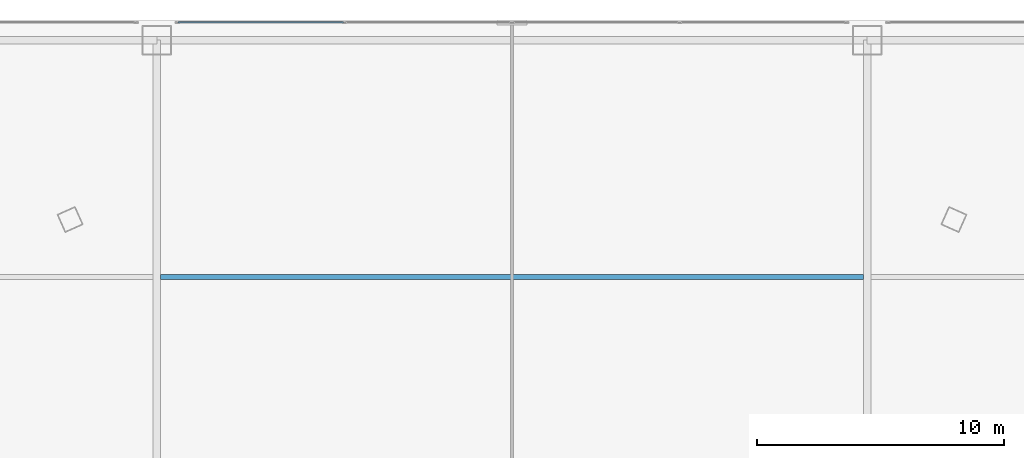
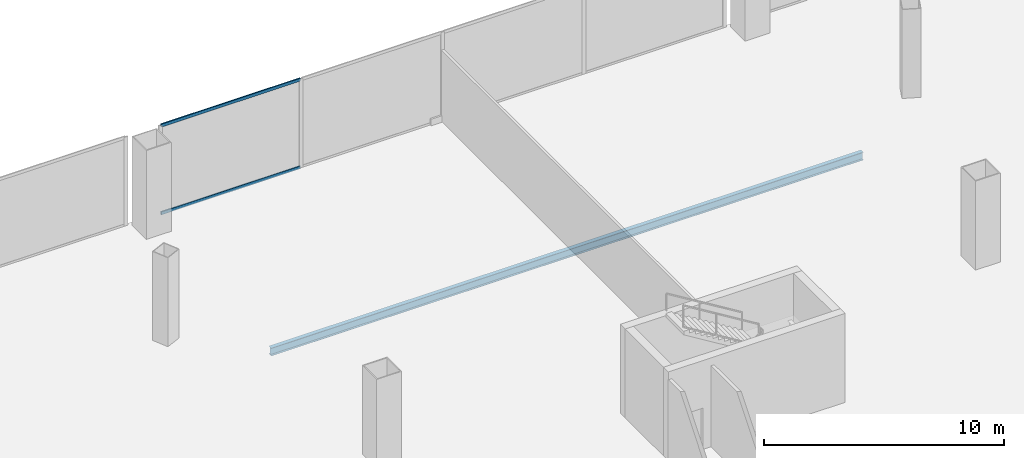
# One storey, part 21 of 40: 2 members, 1 beam, 1 element without a shape of its own.
"""IFC4 building model written with IfcOpenShell, lengths in metres."""

from ifc_helpers import new_model, si_unit, direction, frame, origin, origin_2d, place, context, subcontext, project, spatial, hollow_rectangle, i_section, extrude, source, transform, mapped, material, layer, layer_set, material_profile, profile_set, type_object, element, aggregate, save


model = new_model("IFC4")

# Units and contexts
model_context = context("Model", 3, precision=1e-05, world=origin(), true_north=direction((0.0, 1.0)))
body_context = subcontext(model_context, "Body", "Model", "MODEL_VIEW")
ifc_project = project(units=[si_unit("LENGTHUNIT", "METRE"), si_unit("AREAUNIT", "SQUARE_METRE"), si_unit("VOLUMEUNIT", "CUBIC_METRE"), si_unit("PLANEANGLEUNIT", "RADIAN"), si_unit("MASSUNIT", "GRAM", prefix="KILO"), si_unit("THERMODYNAMICTEMPERATUREUNIT", "KELVIN"), si_unit("POWERUNIT", "WATT")], contexts=[model_context])

# Site, building, storey
site_placement = place(None, origin())
site = spatial("IfcSite", under=ifc_project, at=site_placement, CompositionType="ELEMENT")
building_placement = place(site_placement, origin())
building = spatial("IfcBuilding", under=site, at=building_placement, Name="Yunzhuo Pagoda Commons", CompositionType="ELEMENT")
storey_placement = place(building_placement, frame((0.0, 0.0, 14.39990234375)))
storey = spatial("IfcBuildingStorey", under=building, at=storey_placement, Name="L04", CompositionType="ELEMENT", Elevation=14.39990234375)

# Beam
ifc_material_1 = material(Name="Structural steel Q355B", Category="steel")
ifc_material_profile_1 = material_profile(ifc_material_1, i_section(OverallWidth=0.199951171875, OverallDepth=0.39990234375, WebThickness=0.008056640625, FlangeThickness=0.012939453125, at=origin_2d()), Name="Structural steel Q355B")
ifc_profile_set_1 = profile_set([ifc_material_profile_1], Name="Structural steel Q355B")
beam_type = type_object("IfcBeamType", Name="B-JS1 Joist HN 400x200x8x13", PredefinedType="JOIST", material=ifc_profile_set_1)
shared_shape_1 = source(origin(), body_context, "Body", "SweptSolid", [
    extrude(i_section(OverallWidth=0.199951171875, OverallDepth=0.39990234375, WebThickness=0.008056640625, FlangeThickness=0.012939453125, at=origin_2d()), origin(), (0.0, 0.0, 1.0), 28.490234375),
])
beam_placement = place(storey_placement, frame((33.7548828125, 71.60009765625, -0.47998046875), z_axis=(1.0, 0.0, 0.0), x_axis=(0.0, 1.0, 0.0)))
element("IfcBeam", 1, at=beam_placement, inside=storey, type_object=beam_type, Name="L04 podium composite joist 3.4", PredefinedType="JOIST", context=body_context, shape_type="MappedRepresentation", body=[
    mapped(shared_shape_1, transform((0.0, 0.0, 0.0), scale=1.0)),
])

# Curtain wall, members
ifc_material_2 = material(Name="Anodized aluminium 6063-T6", Category="aluminium")
ifc_layer = layer(ifc_material_2, 0.179931640625)
ifc_layer_set = layer_set([ifc_layer], Name="Anodized aluminium 6063-T6")
curtain_wall_type = type_object("IfcCurtainWallType", Name="CW-POD Waterfront Podium Curtain Wall", PredefinedType="NOTDEFINED", material=ifc_layer_set)
curtain_wall_placement = place(storey_placement, origin())
curtain_wall = element("IfcCurtainWall", 2, at=curtain_wall_placement, inside=storey, type_object=curtain_wall_type, Name="L04 curtain wall CW-L04-N3", PredefinedType="NOTDEFINED")
ifc_material_profile_2 = material_profile(ifc_material_2, hollow_rectangle(XDim=0.06005859375, YDim=0.14990234375, WallThickness=0.00390625, at=origin_2d()), Name="Anodized aluminium 6063-T6")
ifc_profile_set_2 = profile_set([ifc_material_profile_2], Name="Anodized aluminium 6063-T6")
member_type = type_object("IfcMemberType", Name="CW-POD-T Transom RHS 150x60x4", PredefinedType="USERDEFINED", material=ifc_profile_set_2)
shared_shape_2 = source(origin(), body_context, "Body", "SweptSolid", [
    extrude(hollow_rectangle(XDim=0.06005859375, YDim=0.14990234375, WallThickness=0.00390625, at=origin_2d()), origin(), (0.0, 0.0, 1.0), 6.70263671875),
])
member_1_placement = place(storey_placement, frame((34.465087890625, 81.919921875, 0.030029296875), z_axis=(1.0, 0.0, 0.0), x_axis=(0.0, 1.0, 0.0)))
member_1 = element("IfcMember", 3, at=member_1_placement, type_object=member_type, Name="CW transom 1.1", ObjectType="TRANSOM", PredefinedType="USERDEFINED", context=body_context, shape_type="MappedRepresentation", body=[
    mapped(shared_shape_2, transform((0.0, 0.0, 0.0), scale=1.0)),
])
member_2_placement = place(storey_placement, frame((34.465087890625, 81.919921875, 4.489990234375), z_axis=(1.0, 0.0, 0.0), x_axis=(0.0, 1.0, 0.0)))
member_2 = element("IfcMember", 4, at=member_2_placement, type_object=member_type, Name="CW transom 1.2", ObjectType="TRANSOM", PredefinedType="USERDEFINED", context=body_context, shape_type="MappedRepresentation", body=[
    mapped(shared_shape_2, transform((0.0, 0.0, 0.0), scale=1.0)),
])
aggregate(curtain_wall, [member_1, member_2])

save(model, "model.ifc")
